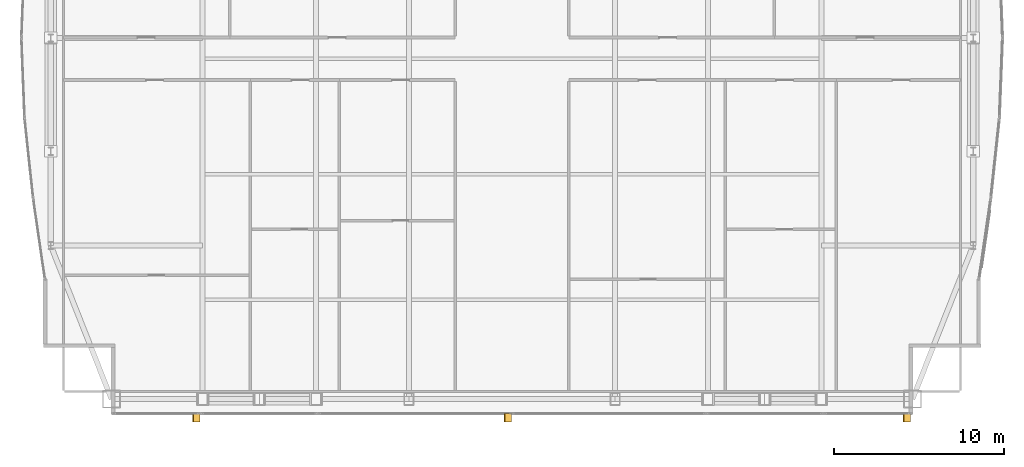
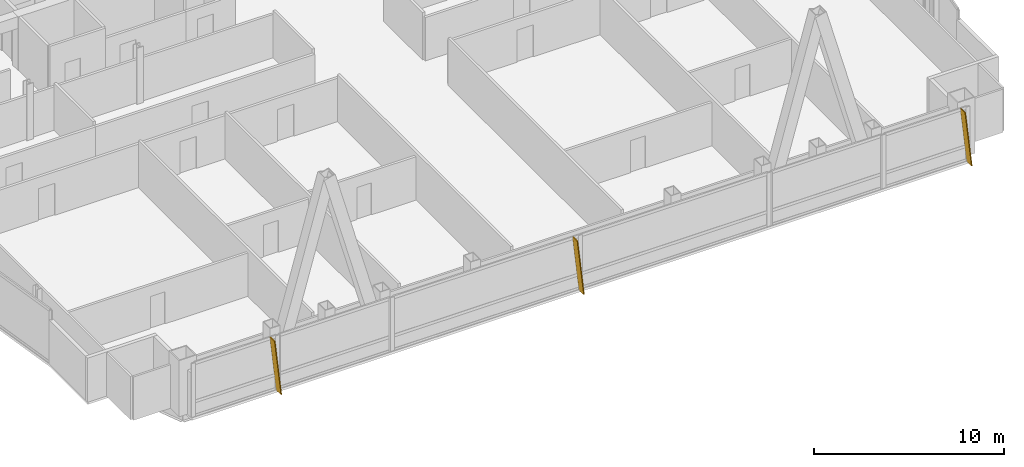
# One storey, part 30 of 31: 3 shading devices.
"""IFC4 building model written with IfcOpenShell, lengths in metres."""

from ifc_helpers import new_model, si_unit, direction, frame, origin, place, context, subcontext, project, spatial, polyline, outline, extrude, material, layer, layer_set, type_object, element, save


model = new_model("IFC4")

# Units and contexts
model_context = context("Model", 3, precision=1e-05, world=origin(), true_north=direction((0.0, 1.0)))
body_context = subcontext(model_context, "Body", "Model", "MODEL_VIEW")
ifc_project = project(units=[si_unit("LENGTHUNIT", "METRE"), si_unit("AREAUNIT", "SQUARE_METRE"), si_unit("VOLUMEUNIT", "CUBIC_METRE"), si_unit("PLANEANGLEUNIT", "RADIAN"), si_unit("MASSUNIT", "GRAM", prefix="KILO")], contexts=[model_context])

# Site, building, storey
site_placement = place(None, origin())
site = spatial("IfcSite", under=ifc_project, at=site_placement, CompositionType="ELEMENT")
building_placement = place(site_placement, origin())
building = spatial("IfcBuilding", under=site, at=building_placement, Name="Khoronbel Lancet Exchange", CompositionType="ELEMENT")
storey_placement = place(building_placement, frame((0.0, 0.0, 249.800048828125)))
storey = spatial("IfcBuildingStorey", under=building, at=storey_placement, Name="L64", CompositionType="ELEMENT", Elevation=249.800048828125)

# Shading devices
ifc_material = material(Name="Bronze-Anodised Aluminium 6063-T6", Category="aluminium")
ifc_layer = layer(ifc_material, 0.054931640625, Name="Bronze-Anodised Aluminium 6063-T6")
ifc_layer_set = layer_set([ifc_layer], Name="Bronze-Anodised Aluminium 6063-T6")
shading_device_type = type_object("IfcShadingDeviceType", Name="SHD-FIN1", PredefinedType="USERDEFINED", material=ifc_layer_set)
for number, where, z_axis, x_axis, name in (
    (1, (18.072509765625, 9.31005859375, -0.080078125), (0.993900347655, 0.0, 0.110281906632), (0.0, -1.0, 0.0), "Slanted bronze solar fin CW-L64-SWV-1"),
    (2, (36.422607421875, 9.31005859375, -0.080078125), (0.993900347655, 0.0, 0.110281906632), (0.0, -1.0, 0.0), "Slanted bronze solar fin CW-L64-SCV-1"),
    (3, (59.9326171875, 9.31005859375, -0.080078125), (0.993900347655, 0.0, 0.110281906632), (0.0, -1.0, 0.0), "Slanted bronze solar fin CW-L64-SEV-1"),
):
    element("IfcShadingDevice", number, at=place(storey_placement, frame(where, z_axis=z_axis, x_axis=x_axis)), inside=storey, type_object=shading_device_type, Name=name, ObjectType="FIN", PredefinedType="USERDEFINED", context=body_context, shape_type="SweptSolid", body=[
        extrude(outline(polyline([(0.0, 0.0), (0.52001953125, 0.0), (0.52001953125, -3.581787109375), (0.0, -3.581787109375), (0.0, 0.0)])), origin(), (0.0, 0.0, -1.0), 0.054931640625),
    ])

save(model, "model.ifc")
